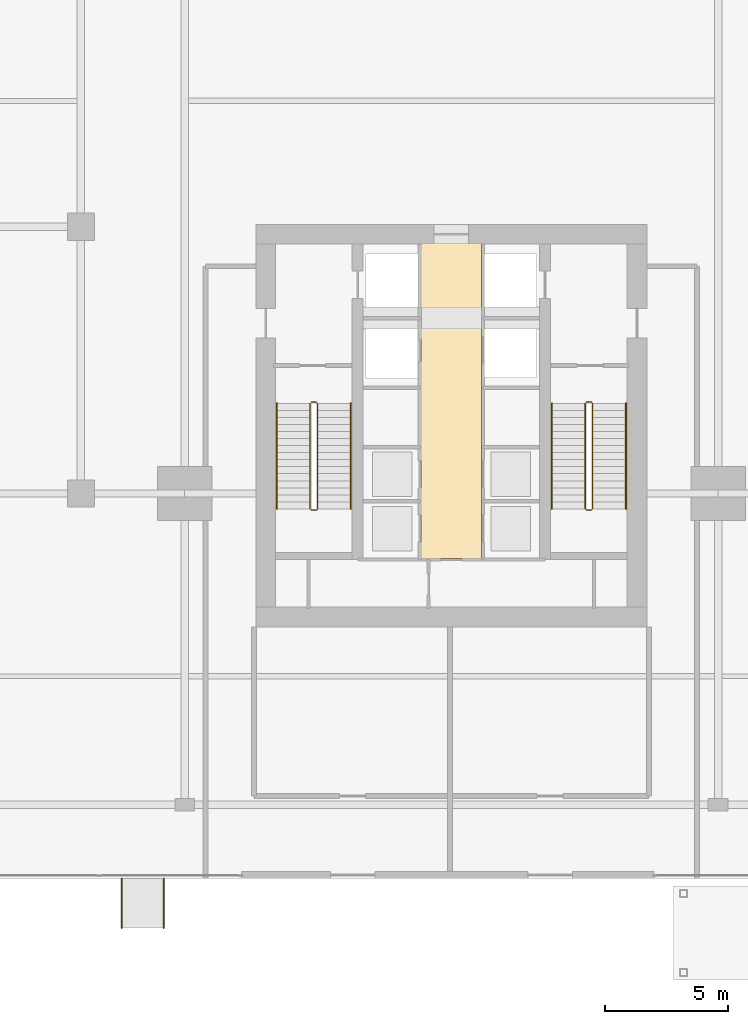
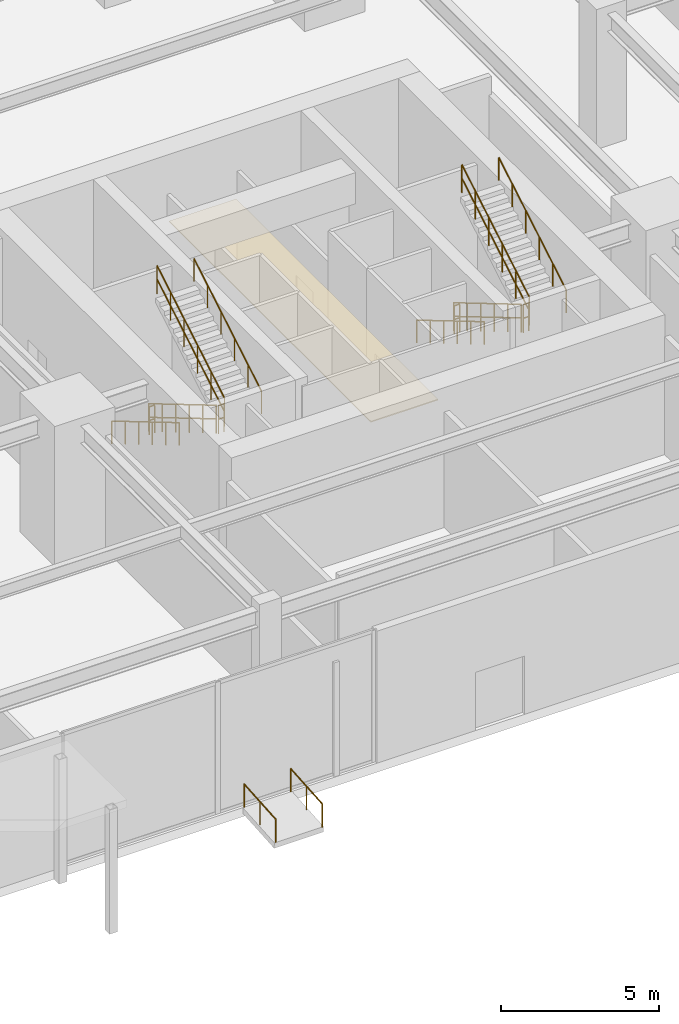
# One storey, part 23 of 28: 14 railings, 1 covering.
"""IFC4 building model written with IfcOpenShell, lengths in metres."""

from ifc_helpers import new_model, si_unit, direction, frame, origin, origin_2d, place, context, subcontext, project, spatial, polyline, circle, outline, extrude, material, layer, layer_set, type_object, element, save


model = new_model("IFC4")

# Units and contexts
model_context = context("Model", 3, precision=1e-05, world=origin(), true_north=direction((0.0, 1.0)))
body_context = subcontext(model_context, "Body", "Model", "MODEL_VIEW")
ifc_project = project(units=[si_unit("LENGTHUNIT", "METRE"), si_unit("AREAUNIT", "SQUARE_METRE"), si_unit("VOLUMEUNIT", "CUBIC_METRE"), si_unit("PLANEANGLEUNIT", "RADIAN"), si_unit("MASSUNIT", "GRAM", prefix="KILO")], contexts=[model_context])

# Site, building, storey
site_placement = place(None, origin())
site = spatial("IfcSite", under=ifc_project, at=site_placement, CompositionType="ELEMENT")
building_placement = place(site_placement, origin())
building = spatial("IfcBuilding", under=site, at=building_placement, Name="Krantzveldt Concourse Tower", CompositionType="ELEMENT")
storey_placement = place(building_placement, origin())
storey = spatial("IfcBuildingStorey", under=building, at=storey_placement, Name="L00", CompositionType="ELEMENT", Elevation=0.0)

# Covering
ifc_material_1 = material(Name="Perforated acoustic mineral-fibre ceiling tile", Category="ceiling")
ifc_layer_1 = layer(ifc_material_1, 0.0400390625, Name="Perforated acoustic mineral-fibre ceiling tile", Category="ceiling")
ifc_layer_set_1 = layer_set([ifc_layer_1], Name="Perforated acoustic mineral-fibre ceiling tile (COV-CEIL-ACOUSTIC)")
covering_type = type_object("IfcCoveringType", Name="COV-CEIL-ACOUSTIC", PredefinedType="CEILING", material=ifc_layer_set_1)
covering_placement = place(storey_placement, frame((0.0, 0.0, 2.75)))
element("IfcCovering", 1, at=covering_placement, inside=storey, type_object=covering_type, Name="CLG-L00-LLB", PredefinedType="CEILING", context=body_context, shape_type="SweptSolid", body=[
    extrude(outline(polyline([(34.77490234375, 13.27490234375), (34.77490234375, 26.044921875), (37.22509765625, 26.044921875), (37.22509765625, 13.27490234375), (34.77490234375, 13.27490234375)])), origin(), (0.0, 0.0, 1.0), 0.0400390625),
])

# Railings
ifc_material_2 = material(Name="Stainless steel 316L", Category="steel")
ifc_layer_2 = layer(ifc_material_2, 0.06005859375, Name="Stainless steel 316L", Category="steel")
ifc_layer_set_2 = layer_set([ifc_layer_2], Name="Stainless steel 316L (RL-GUARD-1120)")
railing_type_1 = type_object("IfcRailingType", Name="RL-GUARD-1120", PredefinedType="GUARDRAIL", material=ifc_layer_set_2)
railing_1_placement = place(storey_placement, frame((30.280029296875, 19.550048828125, 0.168701171875)))
element("IfcRailing", 2, at=railing_1_placement, inside=storey, type_object=railing_type_1, Name="L00 ST-1 stair guard 1", PredefinedType="GUARDRAIL", context=body_context, shape_type="SweptSolid", body=[
    extrude(circle(Radius=0.02392578125, at=origin_2d()), frame((0.0, 0.0, 1.076171875), z_axis=(0.0, -0.860483042394, 0.50947908078), x_axis=(1.0, 0.0, 0.0)), (0.0, 0.0, 1.0), 4.96826171875),
    extrude(circle(Radius=0.02392578125, at=origin_2d()), frame((0.0, 0.0, 0.550048828125), z_axis=(0.0, -0.860483042394, 0.50947908078), x_axis=(1.0, 0.0, 0.0)), (0.0, 0.0, 1.0), 4.96826171875),
    extrude(circle(Radius=0.02099609375, at=origin_2d()), origin(), (0.0, 0.0, 1.0), 1.052001953125),
    extrude(circle(Radius=0.02099609375, at=origin_2d()), frame((0.0, -0.85498046875, 0.50634765625)), (0.0, 0.0, 1.0), 1.052001953125),
    extrude(circle(Radius=0.02099609375, at=origin_2d()), frame((0.0, -1.7099609375, 1.012451171875)), (0.0, 0.0, 1.0), 1.052001953125),
    extrude(circle(Radius=0.02099609375, at=origin_2d()), frame((0.0, -2.565185546875, 1.518798828125)), (0.0, 0.0, 1.0), 1.052001953125),
    extrude(circle(Radius=0.02099609375, at=origin_2d()), frame((0.0, -3.420166015625, 2.02490234375)), (0.0, 0.0, 1.0), 1.052001953125),
    extrude(circle(Radius=0.02099609375, at=origin_2d()), frame((0.0, -4.275146484375, 2.53125)), (0.0, 0.0, 1.0), 1.052001953125),
])
railing_2_placement = place(storey_placement, frame((30.330078125, 15.22509765625, 2.699951171875)))
element("IfcRailing", 3, at=railing_2_placement, inside=storey, type_object=railing_type_1, Name="L00 ST-1 stair guard 2", PredefinedType="GUARDRAIL", context=body_context, shape_type="SweptSolid", body=[
    extrude(circle(Radius=0.02392578125, at=origin_2d()), frame((0.0, 0.0, 1.076171875), z_axis=(1.0, 0.0, 0.0), x_axis=(0.0, 1.0, 0.0)), (0.0, 0.0, 1.0), 0.199951171875),
    extrude(circle(Radius=0.02392578125, at=origin_2d()), frame((0.0, 0.0, 0.550048828125), z_axis=(1.0, 0.0, 0.0), x_axis=(0.0, 1.0, 0.0)), (0.0, 0.0, 1.0), 0.199951171875),
    extrude(circle(Radius=0.02099609375, at=origin_2d()), origin(), (0.0, 0.0, 1.0), 1.052001953125),
    extrude(circle(Radius=0.02099609375, at=origin_2d()), frame((0.199951171875, 0.0, 0.0)), (0.0, 0.0, 1.0), 1.052001953125),
])
railing_3_placement = place(storey_placement, frame((30.580078125, 15.27490234375, 2.86865234375)))
element("IfcRailing", 4, at=railing_3_placement, inside=storey, type_object=railing_type_1, Name="L00 ST-1 stair guard 3", PredefinedType="GUARDRAIL", context=body_context, shape_type="SweptSolid", body=[
    extrude(circle(Radius=0.02392578125, at=origin_2d()), frame((0.0, 0.0, 1.076171875), z_axis=(0.0, 0.860483042394, 0.50947908078), x_axis=(-1.0, 0.0, 0.0)), (0.0, 0.0, 1.0), 4.96826171875),
    extrude(circle(Radius=0.02392578125, at=origin_2d()), frame((0.0, 0.0, 0.550048828125), z_axis=(0.0, 0.860483042394, 0.50947908078), x_axis=(-1.0, 0.0, 0.0)), (0.0, 0.0, 1.0), 4.96826171875),
    extrude(circle(Radius=0.02099609375, at=origin_2d()), origin(), (0.0, 0.0, 1.0), 1.052001953125),
    extrude(circle(Radius=0.02099609375, at=origin_2d()), frame((0.0, 0.85498046875, 0.50634765625)), (0.0, 0.0, 1.0), 1.052001953125),
    extrude(circle(Radius=0.02099609375, at=origin_2d()), frame((0.0, 1.7099609375, 1.012451171875)), (0.0, 0.0, 1.0), 1.052001953125),
    extrude(circle(Radius=0.02099609375, at=origin_2d()), frame((0.0, 2.565185546875, 1.518798828125)), (0.0, 0.0, 1.0), 1.052001953125),
    extrude(circle(Radius=0.02099609375, at=origin_2d()), frame((0.0, 3.420166015625, 2.02490234375)), (0.0, 0.0, 1.0), 1.052001953125),
    extrude(circle(Radius=0.02099609375, at=origin_2d()), frame((0.0, 4.275146484375, 2.53125)), (0.0, 0.0, 1.0), 1.052001953125),
])
railing_4_placement = place(storey_placement, frame((30.330078125, 19.60009765625, 0.0)))
element("IfcRailing", 5, at=railing_4_placement, inside=storey, type_object=railing_type_1, Name="L00 ST-1 stair guard 4", PredefinedType="GUARDRAIL", context=body_context, shape_type="SweptSolid", body=[
    extrude(circle(Radius=0.02392578125, at=origin_2d()), frame((0.0, 0.0, 1.076171875), z_axis=(1.0, 0.0, 0.0), x_axis=(0.0, 1.0, 0.0)), (0.0, 0.0, 1.0), 0.199951171875),
    extrude(circle(Radius=0.02392578125, at=origin_2d()), frame((0.0, 0.0, 0.550048828125), z_axis=(1.0, 0.0, 0.0), x_axis=(0.0, 1.0, 0.0)), (0.0, 0.0, 1.0), 0.199951171875),
    extrude(circle(Radius=0.02099609375, at=origin_2d()), origin(), (0.0, 0.0, 1.0), 1.052001953125),
    extrude(circle(Radius=0.02099609375, at=origin_2d()), frame((0.199951171875, 0.0, 0.0)), (0.0, 0.0, 1.0), 1.052001953125),
])
railing_5_placement = place(storey_placement, frame((41.419921875, 19.550048828125, 0.168701171875)))
element("IfcRailing", 6, at=railing_5_placement, inside=storey, type_object=railing_type_1, Name="L00 ST-2 stair guard 1", PredefinedType="GUARDRAIL", context=body_context, shape_type="SweptSolid", body=[
    extrude(circle(Radius=0.02392578125, at=origin_2d()), frame((0.0, 0.0, 1.076171875), z_axis=(0.0, -0.860483042394, 0.50947908078), x_axis=(1.0, 0.0, 0.0)), (0.0, 0.0, 1.0), 4.96826171875),
    extrude(circle(Radius=0.02392578125, at=origin_2d()), frame((0.0, 0.0, 0.550048828125), z_axis=(0.0, -0.860483042394, 0.50947908078), x_axis=(1.0, 0.0, 0.0)), (0.0, 0.0, 1.0), 4.96826171875),
    extrude(circle(Radius=0.02099609375, at=origin_2d()), origin(), (0.0, 0.0, 1.0), 1.052001953125),
    extrude(circle(Radius=0.02099609375, at=origin_2d()), frame((0.0, -0.85498046875, 0.50634765625)), (0.0, 0.0, 1.0), 1.052001953125),
    extrude(circle(Radius=0.02099609375, at=origin_2d()), frame((0.0, -1.7099609375, 1.012451171875)), (0.0, 0.0, 1.0), 1.052001953125),
    extrude(circle(Radius=0.02099609375, at=origin_2d()), frame((0.0, -2.565185546875, 1.518798828125)), (0.0, 0.0, 1.0), 1.052001953125),
    extrude(circle(Radius=0.02099609375, at=origin_2d()), frame((0.0, -3.420166015625, 2.02490234375)), (0.0, 0.0, 1.0), 1.052001953125),
    extrude(circle(Radius=0.02099609375, at=origin_2d()), frame((0.0, -4.275146484375, 2.53125)), (0.0, 0.0, 1.0), 1.052001953125),
])
railing_6_placement = place(storey_placement, frame((41.469970703125, 15.22509765625, 2.699951171875)))
element("IfcRailing", 7, at=railing_6_placement, inside=storey, type_object=railing_type_1, Name="L00 ST-2 stair guard 2", PredefinedType="GUARDRAIL", context=body_context, shape_type="SweptSolid", body=[
    extrude(circle(Radius=0.02392578125, at=origin_2d()), frame((0.0, 0.0, 1.076171875), z_axis=(1.0, 0.0, 0.0), x_axis=(0.0, 1.0, 0.0)), (0.0, 0.0, 1.0), 0.199951171875),
    extrude(circle(Radius=0.02392578125, at=origin_2d()), frame((0.0, 0.0, 0.550048828125), z_axis=(1.0, 0.0, 0.0), x_axis=(0.0, 1.0, 0.0)), (0.0, 0.0, 1.0), 0.199951171875),
    extrude(circle(Radius=0.02099609375, at=origin_2d()), origin(), (0.0, 0.0, 1.0), 1.052001953125),
    extrude(circle(Radius=0.02099609375, at=origin_2d()), frame((0.199951171875, 0.0, 0.0)), (0.0, 0.0, 1.0), 1.052001953125),
])
railing_7_placement = place(storey_placement, frame((41.719970703125, 15.27490234375, 2.86865234375)))
element("IfcRailing", 8, at=railing_7_placement, inside=storey, type_object=railing_type_1, Name="L00 ST-2 stair guard 3", PredefinedType="GUARDRAIL", context=body_context, shape_type="SweptSolid", body=[
    extrude(circle(Radius=0.02392578125, at=origin_2d()), frame((0.0, 0.0, 1.076171875), z_axis=(0.0, 0.860483042394, 0.50947908078), x_axis=(-1.0, 0.0, 0.0)), (0.0, 0.0, 1.0), 4.96826171875),
    extrude(circle(Radius=0.02392578125, at=origin_2d()), frame((0.0, 0.0, 0.550048828125), z_axis=(0.0, 0.860483042394, 0.50947908078), x_axis=(-1.0, 0.0, 0.0)), (0.0, 0.0, 1.0), 4.96826171875),
    extrude(circle(Radius=0.02099609375, at=origin_2d()), origin(), (0.0, 0.0, 1.0), 1.052001953125),
    extrude(circle(Radius=0.02099609375, at=origin_2d()), frame((0.0, 0.85498046875, 0.50634765625)), (0.0, 0.0, 1.0), 1.052001953125),
    extrude(circle(Radius=0.02099609375, at=origin_2d()), frame((0.0, 1.7099609375, 1.012451171875)), (0.0, 0.0, 1.0), 1.052001953125),
    extrude(circle(Radius=0.02099609375, at=origin_2d()), frame((0.0, 2.565185546875, 1.518798828125)), (0.0, 0.0, 1.0), 1.052001953125),
    extrude(circle(Radius=0.02099609375, at=origin_2d()), frame((0.0, 3.420166015625, 2.02490234375)), (0.0, 0.0, 1.0), 1.052001953125),
    extrude(circle(Radius=0.02099609375, at=origin_2d()), frame((0.0, 4.275146484375, 2.53125)), (0.0, 0.0, 1.0), 1.052001953125),
])
railing_8_placement = place(storey_placement, frame((41.469970703125, 19.60009765625, 0.0)))
element("IfcRailing", 9, at=railing_8_placement, inside=storey, type_object=railing_type_1, Name="L00 ST-2 stair guard 4", PredefinedType="GUARDRAIL", context=body_context, shape_type="SweptSolid", body=[
    extrude(circle(Radius=0.02392578125, at=origin_2d()), frame((0.0, 0.0, 1.076171875), z_axis=(1.0, 0.0, 0.0), x_axis=(0.0, 1.0, 0.0)), (0.0, 0.0, 1.0), 0.199951171875),
    extrude(circle(Radius=0.02392578125, at=origin_2d()), frame((0.0, 0.0, 0.550048828125), z_axis=(1.0, 0.0, 0.0), x_axis=(0.0, 1.0, 0.0)), (0.0, 0.0, 1.0), 0.199951171875),
    extrude(circle(Radius=0.02099609375, at=origin_2d()), origin(), (0.0, 0.0, 1.0), 1.052001953125),
    extrude(circle(Radius=0.02099609375, at=origin_2d()), frame((0.199951171875, 0.0, 0.0)), (0.0, 0.0, 1.0), 1.052001953125),
])
ifc_layer_3 = layer(ifc_material_2, 0.050048828125, Name="Stainless steel 316L", Category="steel")
ifc_layer_set_3 = layer_set([ifc_layer_3], Name="Stainless steel 316L (RL-HANDRAIL-920)")
railing_type_2 = type_object("IfcRailingType", Name="RL-HANDRAIL-920", PredefinedType="HANDRAIL", material=ifc_layer_set_3)
railing_9_placement = place(storey_placement, frame((28.929931640625, 19.550048828125, 0.168701171875)))
element("IfcRailing", 10, at=railing_9_placement, inside=storey, type_object=railing_type_2, Name="L00 ST-1 stair handrail 1", PredefinedType="HANDRAIL", context=body_context, shape_type="SweptSolid", body=[
    extrude(circle(Radius=0.02392578125, at=origin_2d()), frame((0.0, 0.0, 0.8759765625), z_axis=(0.0, -0.860483042394, 0.50947908078), x_axis=(1.0, 0.0, 0.0)), (0.0, 0.0, 1.0), 4.96826171875),
    extrude(circle(Radius=0.02099609375, at=origin_2d()), origin(), (0.0, 0.0, 1.0), 0.851806640625),
    extrude(circle(Radius=0.02099609375, at=origin_2d()), frame((0.0, -0.85498046875, 0.50634765625)), (0.0, 0.0, 1.0), 0.851806640625),
    extrude(circle(Radius=0.02099609375, at=origin_2d()), frame((0.0, -1.7099609375, 1.012451171875)), (0.0, 0.0, 1.0), 0.851806640625),
    extrude(circle(Radius=0.02099609375, at=origin_2d()), frame((0.0, -2.565185546875, 1.518798828125)), (0.0, 0.0, 1.0), 0.851806640625),
    extrude(circle(Radius=0.02099609375, at=origin_2d()), frame((0.0, -3.420166015625, 2.02490234375)), (0.0, 0.0, 1.0), 0.851806640625),
    extrude(circle(Radius=0.02099609375, at=origin_2d()), frame((0.0, -4.275146484375, 2.53125)), (0.0, 0.0, 1.0), 0.851806640625),
])
railing_10_placement = place(storey_placement, frame((31.929931640625, 15.27490234375, 2.86865234375)))
element("IfcRailing", 11, at=railing_10_placement, inside=storey, type_object=railing_type_2, Name="L00 ST-1 stair handrail 2", PredefinedType="HANDRAIL", context=body_context, shape_type="SweptSolid", body=[
    extrude(circle(Radius=0.02392578125, at=origin_2d()), frame((0.0, 0.0, 0.8759765625), z_axis=(0.0, 0.860483042394, 0.50947908078), x_axis=(-1.0, 0.0, 0.0)), (0.0, 0.0, 1.0), 4.96826171875),
    extrude(circle(Radius=0.02099609375, at=origin_2d()), origin(), (0.0, 0.0, 1.0), 0.851806640625),
    extrude(circle(Radius=0.02099609375, at=origin_2d()), frame((0.0, 0.85498046875, 0.50634765625)), (0.0, 0.0, 1.0), 0.851806640625),
    extrude(circle(Radius=0.02099609375, at=origin_2d()), frame((0.0, 1.7099609375, 1.012451171875)), (0.0, 0.0, 1.0), 0.851806640625),
    extrude(circle(Radius=0.02099609375, at=origin_2d()), frame((0.0, 2.565185546875, 1.518798828125)), (0.0, 0.0, 1.0), 0.851806640625),
    extrude(circle(Radius=0.02099609375, at=origin_2d()), frame((0.0, 3.420166015625, 2.02490234375)), (0.0, 0.0, 1.0), 0.851806640625),
    extrude(circle(Radius=0.02099609375, at=origin_2d()), frame((0.0, 4.275146484375, 2.53125)), (0.0, 0.0, 1.0), 0.851806640625),
])
railing_11_placement = place(storey_placement, frame((40.070068359375, 19.550048828125, 0.168701171875)))
element("IfcRailing", 12, at=railing_11_placement, inside=storey, type_object=railing_type_2, Name="L00 ST-2 stair handrail 1", PredefinedType="HANDRAIL", context=body_context, shape_type="SweptSolid", body=[
    extrude(circle(Radius=0.02392578125, at=origin_2d()), frame((0.0, 0.0, 0.8759765625), z_axis=(0.0, -0.860483042394, 0.50947908078), x_axis=(1.0, 0.0, 0.0)), (0.0, 0.0, 1.0), 4.96826171875),
    extrude(circle(Radius=0.02099609375, at=origin_2d()), origin(), (0.0, 0.0, 1.0), 0.851806640625),
    extrude(circle(Radius=0.02099609375, at=origin_2d()), frame((0.0, -0.85498046875, 0.50634765625)), (0.0, 0.0, 1.0), 0.851806640625),
    extrude(circle(Radius=0.02099609375, at=origin_2d()), frame((0.0, -1.7099609375, 1.012451171875)), (0.0, 0.0, 1.0), 0.851806640625),
    extrude(circle(Radius=0.02099609375, at=origin_2d()), frame((0.0, -2.565185546875, 1.518798828125)), (0.0, 0.0, 1.0), 0.851806640625),
    extrude(circle(Radius=0.02099609375, at=origin_2d()), frame((0.0, -3.420166015625, 2.02490234375)), (0.0, 0.0, 1.0), 0.851806640625),
    extrude(circle(Radius=0.02099609375, at=origin_2d()), frame((0.0, -4.275146484375, 2.53125)), (0.0, 0.0, 1.0), 0.851806640625),
])
railing_12_placement = place(storey_placement, frame((43.070068359375, 15.27490234375, 2.86865234375)))
element("IfcRailing", 13, at=railing_12_placement, inside=storey, type_object=railing_type_2, Name="L00 ST-2 stair handrail 2", PredefinedType="HANDRAIL", context=body_context, shape_type="SweptSolid", body=[
    extrude(circle(Radius=0.02392578125, at=origin_2d()), frame((0.0, 0.0, 0.8759765625), z_axis=(0.0, 0.860483042394, 0.50947908078), x_axis=(-1.0, 0.0, 0.0)), (0.0, 0.0, 1.0), 4.96826171875),
    extrude(circle(Radius=0.02099609375, at=origin_2d()), origin(), (0.0, 0.0, 1.0), 0.851806640625),
    extrude(circle(Radius=0.02099609375, at=origin_2d()), frame((0.0, 0.85498046875, 0.50634765625)), (0.0, 0.0, 1.0), 0.851806640625),
    extrude(circle(Radius=0.02099609375, at=origin_2d()), frame((0.0, 1.7099609375, 1.012451171875)), (0.0, 0.0, 1.0), 0.851806640625),
    extrude(circle(Radius=0.02099609375, at=origin_2d()), frame((0.0, 2.565185546875, 1.518798828125)), (0.0, 0.0, 1.0), 0.851806640625),
    extrude(circle(Radius=0.02099609375, at=origin_2d()), frame((0.0, 3.420166015625, 2.02490234375)), (0.0, 0.0, 1.0), 0.851806640625),
    extrude(circle(Radius=0.02099609375, at=origin_2d()), frame((0.0, 4.275146484375, 2.53125)), (0.0, 0.0, 1.0), 0.851806640625),
])
for number, where, name in (
    (14, (22.64990234375, -1.699951171875, -0.14990234375), "RMP-L00-ACC04-HRL"),
    (15, (24.35009765625, -1.699951171875, -0.14990234375), "RMP-L00-ACC04-HRR"),
):
    element("IfcRailing", number, at=place(storey_placement, frame(where)), inside=storey, type_object=railing_type_2, Name=name, PredefinedType="HANDRAIL", context=body_context, shape_type="SweptSolid", body=[
        extrude(circle(Radius=0.02392578125, at=origin_2d()), frame((0.0, 0.0, 0.89599609375), z_axis=(0.0, 0.997202940152, 0.074741528962), x_axis=(-1.0, 0.0, 0.0)), (0.0, 0.0, 1.0), 2.005615234375),
        extrude(circle(Radius=0.02099609375, at=origin_2d()), origin(), (0.0, 0.0, 1.0), 0.871826171875),
        extrude(circle(Radius=0.02099609375, at=origin_2d()), frame((0.0, 1.0, 0.074951171875)), (0.0, 0.0, 1.0), 0.871826171875),
        extrude(circle(Radius=0.02099609375, at=origin_2d()), frame((0.0, 2.0, 0.14990234375)), (0.0, 0.0, 1.0), 0.871826171875),
    ])

save(model, "model.ifc")
